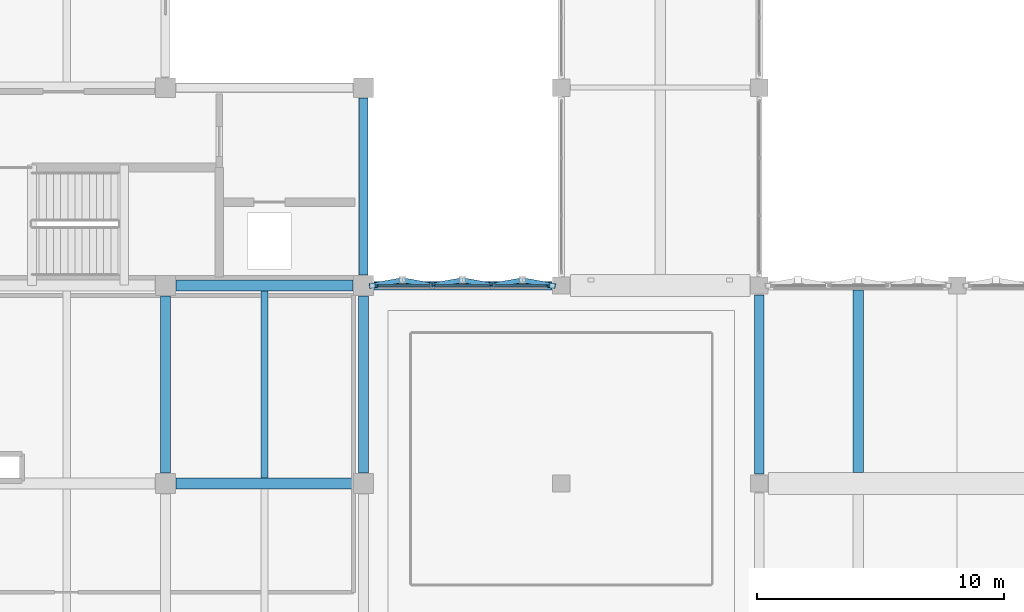
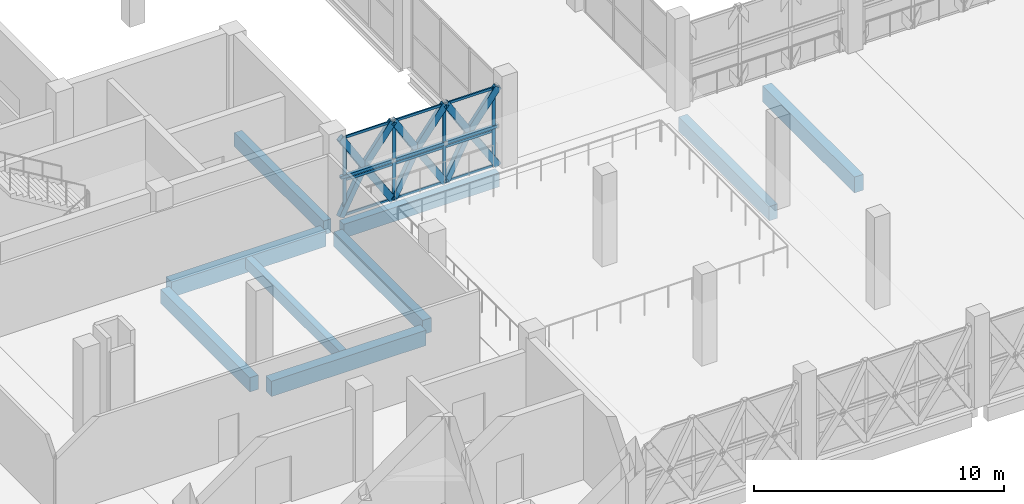
# One storey, part 7 of 45: 28 members, 9 beams, 1 element without a shape of its own.
"""IFC4 building model written with IfcOpenShell, lengths in metres."""

from ifc_helpers import new_model, si_unit, direction, frame, origin, origin_2d, place, context, subcontext, project, spatial, rectangle, hollow_rectangle, extrude, material, layer, layer_set, material_profile, profile_set, type_object, element, aggregate, save


model = new_model("IFC4")

# Units and contexts
model_context = context("Model", 3, precision=1e-05, world=origin(), true_north=direction((0.0, 1.0)))
body_context = subcontext(model_context, "Body", "Model", "MODEL_VIEW")
ifc_project = project(units=[si_unit("LENGTHUNIT", "METRE"), si_unit("AREAUNIT", "SQUARE_METRE"), si_unit("VOLUMEUNIT", "CUBIC_METRE"), si_unit("PLANEANGLEUNIT", "RADIAN"), si_unit("MASSUNIT", "GRAM", prefix="KILO")], contexts=[model_context])

# Site, building, storey
site_placement = place(None, origin())
site = spatial("IfcSite", under=ifc_project, at=site_placement, CompositionType="ELEMENT")
building_placement = place(site_placement, origin())
building = spatial("IfcBuilding", under=site, at=building_placement, Name="Qorikala Patio Media Centre", CompositionType="ELEMENT")
storey_placement = place(building_placement, frame((0.0, 0.0, 9.89990234375)))
storey = spatial("IfcBuildingStorey", under=building, at=storey_placement, Name="L02", CompositionType="ELEMENT", Elevation=9.89990234375)

# Beams
ifc_material_1 = material(Name="Concrete C35/45", Category="concrete")
ifc_material_profile_1 = material_profile(ifc_material_1, rectangle(XDim=0.39990234375, YDim=0.699951171875, at=origin_2d()), Name="RC 400x700")
ifc_profile_set_1 = profile_set([ifc_material_profile_1], Name="Concrete C35/45")
beam_type_1 = type_object("IfcBeamType", Name="BM-G400X700", PredefinedType="BEAM", material=ifc_profile_set_1)
for number, where, z_axis, x_axis, name in (
    (1, (35.0, 19.425048828125, -0.64990234375), (0.0, 1.0, 0.0), (-1.0, 0.0, 0.0), "L02 Grid X=35 Beam 0936"),
    (2, (43.0, 19.425048828125, -0.64990234375), (0.0, 1.0, 0.0), (-1.0, 0.0, 0.0), "L02 Grid X=43 Beam 0944"),
):
    element("IfcBeam", number, at=place(storey_placement, frame(where, z_axis=z_axis, x_axis=x_axis)), inside=storey, type_object=beam_type_1, Name=name, PredefinedType="BEAM", context=body_context, shape_type="SweptSolid", body=[
        extrude(rectangle(XDim=0.39990234375, YDim=0.699951171875, at=origin_2d()), origin(), (0.0, 0.0, 1.0), 7.14990234375),
    ])
beam_1_placement = place(storey_placement, frame((59.0, 19.375, -0.64990234375), z_axis=(0.0, 1.0, 0.0), x_axis=(-1.0, 0.0, 0.0)))
element("IfcBeam", 3, at=beam_1_placement, inside=storey, type_object=beam_type_1, Name="L02 Grid X=59 Beam 0958", PredefinedType="BEAM", context=body_context, shape_type="SweptSolid", body=[
    extrude(rectangle(XDim=0.39990234375, YDim=0.699951171875, at=origin_2d()), origin(), (0.0, 0.0, 1.0), 7.25),
])
ifc_material_profile_2 = material_profile(ifc_material_1, rectangle(XDim=0.449951171875, YDim=0.75, at=origin_2d()), Name="RC 450x750")
ifc_profile_set_2 = profile_set([ifc_material_profile_2], Name="Concrete C35/45")
beam_type_2 = type_object("IfcBeamType", Name="BM-G450X750", PredefinedType="BEAM", material=ifc_profile_set_2)
for number, where, z_axis, x_axis, name in (
    (4, (35.425048828125, 19.0, -0.6748046875), (1.0, 0.0, 0.0), (0.0, 1.0, 0.0), "L02 Grid 19 Beam 0799"),
    (5, (35.425048828125, 27.0, -0.6748046875), (1.0, 0.0, 0.0), (0.0, 1.0, 0.0), "L02 Grid 27 Beam 0817"),
):
    element("IfcBeam", number, at=place(storey_placement, frame(where, z_axis=z_axis, x_axis=x_axis)), inside=storey, type_object=beam_type_2, Name=name, PredefinedType="BEAM", context=body_context, shape_type="SweptSolid", body=[
        extrude(rectangle(XDim=0.449951171875, YDim=0.75, at=origin_2d()), origin(), (0.0, 0.0, 1.0), 7.14990234375),
    ])

# Members
ifc_material_2 = material(Name="Golden Bronze Coated Steel S355", Category="steel")
ifc_material_profile_3 = material_profile(ifc_material_2, hollow_rectangle(XDim=0.139892578125, YDim=0.139892578125, WallThickness=0.006103515625, at=origin_2d()), Name="HSS140X140X6")
ifc_profile_set_3 = profile_set([ifc_material_profile_3], Name="Golden Bronze Coated Steel S355")
member_type_1 = type_object("IfcMemberType", Name="BRACE-DIA140", PredefinedType="BRACE", material=ifc_profile_set_3)
member_1_placement = place(storey_placement, frame((43.360107421875, 27.0, 1.925048828125), z_axis=(1.0, 0.0, 0.0), x_axis=(0.0, 1.0, 0.0)))
element("IfcMember", 6, at=member_1_placement, inside=storey, type_object=member_type_1, Name="L02 Diamond Fold Tie 049", PredefinedType="BRACE", context=body_context, shape_type="SweptSolid", body=[
    extrude(hollow_rectangle(XDim=0.139892578125, YDim=0.139892578125, WallThickness=0.006103515625, at=origin_2d()), origin(), (0.0, 0.0, 1.0), 2.426513671875),
])
member_2_placement = place(storey_placement, frame((45.78662109375, 27.0, 1.925048828125), z_axis=(1.0, 0.0, 0.0), x_axis=(0.0, 1.0, 0.0)))
element("IfcMember", 7, at=member_2_placement, inside=storey, type_object=member_type_1, Name="L02 Diamond Fold Tie 050", PredefinedType="BRACE", context=body_context, shape_type="SweptSolid", body=[
    extrude(hollow_rectangle(XDim=0.139892578125, YDim=0.139892578125, WallThickness=0.006103515625, at=origin_2d()), origin(), (0.0, 0.0, 1.0), 2.4267578125),
])
member_3_placement = place(storey_placement, frame((48.21337890625, 27.0, 1.925048828125), z_axis=(1.0, 0.0, 0.0), x_axis=(0.0, 1.0, 0.0)))
element("IfcMember", 8, at=member_3_placement, inside=storey, type_object=member_type_1, Name="L02 Diamond Fold Tie 051", PredefinedType="BRACE", context=body_context, shape_type="SweptSolid", body=[
    extrude(hollow_rectangle(XDim=0.139892578125, YDim=0.139892578125, WallThickness=0.006103515625, at=origin_2d()), origin(), (0.0, 0.0, 1.0), 2.426513671875),
])

# Curtain wall, members
ifc_material_3 = material(Name="Golden Bronze Anodised Aluminium and Low-E Glass", Category="aluminium")
ifc_layer = layer(ifc_material_3, 0.159912109375)
ifc_layer_set = layer_set([ifc_layer], Name="Golden Bronze Anodised Aluminium and Low-E Glass")
curtain_wall_type = type_object("IfcCurtainWallType", Name="CW-DIA-696X385", PredefinedType="USERDEFINED", material=ifc_layer_set)
curtain_wall_placement = place(storey_placement, origin())
curtain_wall = element("IfcCurtainWall", 9, at=curtain_wall_placement, inside=storey, type_object=curtain_wall_type, Name="L02 Courtyard Curtain Wall 045", ObjectType="COURTYARD CURTAIN WALL", PredefinedType="USERDEFINED")
ifc_material_4 = material(Name="Golden Bronze Anodised Aluminium", Category="aluminium")
ifc_material_profile_4 = material_profile(ifc_material_4, rectangle(XDim=0.06494140625, YDim=0.14990234375, at=origin_2d()), Name="ALU MULLION 65x150")
ifc_profile_set_4 = profile_set([ifc_material_profile_4], Name="Golden Bronze Anodised Aluminium")
member_type_2 = type_object("IfcMemberType", Name="CWM-65X150", PredefinedType="MULLION", material=ifc_profile_set_4)
member_4_placement = place(storey_placement, frame((43.552490234375, 27.0, 0.0), z_axis=(0.0, 0.0, 1.0), x_axis=(0.0, 1.0, 0.0)))
member_4 = element("IfcMember", 10, at=member_4_placement, type_object=member_type_2, Name="CWD696385 mullion 1", PredefinedType="MULLION", context=body_context, shape_type="SweptSolid", body=[
    extrude(rectangle(XDim=0.06494140625, YDim=0.14990234375, at=origin_2d()), origin(), (0.0, 0.0, 1.0), 3.85009765625),
])
member_5_placement = place(storey_placement, frame((45.840087890625, 27.0, 0.0), z_axis=(0.0, 0.0, 1.0), x_axis=(0.0, 1.0, 0.0)))
member_5 = element("IfcMember", 11, at=member_5_placement, type_object=member_type_2, Name="CWD696385 mullion 2", PredefinedType="MULLION", context=body_context, shape_type="SweptSolid", body=[
    extrude(rectangle(XDim=0.06494140625, YDim=0.14990234375, at=origin_2d()), origin(), (0.0, 0.0, 1.0), 3.85009765625),
])
member_6_placement = place(storey_placement, frame((48.159912109375, 27.0, 0.0), z_axis=(0.0, 0.0, 1.0), x_axis=(0.0, 1.0, 0.0)))
member_6 = element("IfcMember", 12, at=member_6_placement, type_object=member_type_2, Name="CWD696385 mullion 3", PredefinedType="MULLION", context=body_context, shape_type="SweptSolid", body=[
    extrude(rectangle(XDim=0.06494140625, YDim=0.14990234375, at=origin_2d()), origin(), (0.0, 0.0, 1.0), 3.85009765625),
])
member_7_placement = place(storey_placement, frame((50.447509765625, 27.0, 0.0), z_axis=(0.0, 0.0, 1.0), x_axis=(0.0, 1.0, 0.0)))
member_7 = element("IfcMember", 13, at=member_7_placement, type_object=member_type_2, Name="CWD696385 mullion 4", PredefinedType="MULLION", context=body_context, shape_type="SweptSolid", body=[
    extrude(rectangle(XDim=0.06494140625, YDim=0.14990234375, at=origin_2d()), origin(), (0.0, 0.0, 1.0), 3.85009765625),
])
ifc_material_profile_5 = material_profile(ifc_material_4, rectangle(XDim=0.06494140625, YDim=0.1201171875, at=origin_2d()), Name="ALU TRANSOM 65x120")
ifc_profile_set_5 = profile_set([ifc_material_profile_5], Name="Golden Bronze Anodised Aluminium")
member_type_3 = type_object("IfcMemberType", Name="CWT-65X120", PredefinedType="USERDEFINED", material=ifc_profile_set_5)
member_8_placement = place(storey_placement, frame((43.5849609375, 27.0, 0.03271484375), z_axis=(1.0, 0.0, 0.0), x_axis=(0.0, 1.0, 0.0)))
member_8 = element("IfcMember", 14, at=member_8_placement, type_object=member_type_3, Name="CWD696385 transom 1.1", ObjectType="TRANSOM", PredefinedType="USERDEFINED", context=body_context, shape_type="SweptSolid", body=[
    extrude(rectangle(XDim=0.06494140625, YDim=0.1201171875, at=origin_2d()), origin(), (0.0, 0.0, 1.0), 2.22265625),
])
member_9_placement = place(storey_placement, frame((43.5849609375, 27.0, 1.732666015625), z_axis=(1.0, 0.0, 0.0), x_axis=(0.0, 1.0, 0.0)))
member_9 = element("IfcMember", 15, at=member_9_placement, type_object=member_type_3, Name="CWD696385 transom 1.2", ObjectType="TRANSOM", PredefinedType="USERDEFINED", context=body_context, shape_type="SweptSolid", body=[
    extrude(rectangle(XDim=0.06494140625, YDim=0.1201171875, at=origin_2d()), origin(), (0.0, 0.0, 1.0), 2.22265625),
])
member_10_placement = place(storey_placement, frame((43.5849609375, 27.0, 3.817626953125), z_axis=(1.0, 0.0, 0.0), x_axis=(0.0, 1.0, 0.0)))
member_10 = element("IfcMember", 16, at=member_10_placement, type_object=member_type_3, Name="CWD696385 transom 1.3", ObjectType="TRANSOM", PredefinedType="USERDEFINED", context=body_context, shape_type="SweptSolid", body=[
    extrude(rectangle(XDim=0.06494140625, YDim=0.1201171875, at=origin_2d()), origin(), (0.0, 0.0, 1.0), 2.22265625),
])
member_11_placement = place(storey_placement, frame((45.87255859375, 27.0, 0.03271484375), z_axis=(1.0, 0.0, 0.0), x_axis=(0.0, 1.0, 0.0)))
member_11 = element("IfcMember", 17, at=member_11_placement, type_object=member_type_3, Name="CWD696385 transom 2.1", ObjectType="TRANSOM", PredefinedType="USERDEFINED", context=body_context, shape_type="SweptSolid", body=[
    extrude(rectangle(XDim=0.06494140625, YDim=0.1201171875, at=origin_2d()), origin(), (0.0, 0.0, 1.0), 2.2548828125),
])
member_12_placement = place(storey_placement, frame((45.87255859375, 27.0, 1.732666015625), z_axis=(1.0, 0.0, 0.0), x_axis=(0.0, 1.0, 0.0)))
member_12 = element("IfcMember", 18, at=member_12_placement, type_object=member_type_3, Name="CWD696385 transom 2.2", ObjectType="TRANSOM", PredefinedType="USERDEFINED", context=body_context, shape_type="SweptSolid", body=[
    extrude(rectangle(XDim=0.06494140625, YDim=0.1201171875, at=origin_2d()), origin(), (0.0, 0.0, 1.0), 2.2548828125),
])
member_13_placement = place(storey_placement, frame((45.87255859375, 27.0, 3.817626953125), z_axis=(1.0, 0.0, 0.0), x_axis=(0.0, 1.0, 0.0)))
member_13 = element("IfcMember", 19, at=member_13_placement, type_object=member_type_3, Name="CWD696385 transom 2.3", ObjectType="TRANSOM", PredefinedType="USERDEFINED", context=body_context, shape_type="SweptSolid", body=[
    extrude(rectangle(XDim=0.06494140625, YDim=0.1201171875, at=origin_2d()), origin(), (0.0, 0.0, 1.0), 2.2548828125),
])
member_14_placement = place(storey_placement, frame((48.1923828125, 27.0, 0.03271484375), z_axis=(1.0, 0.0, 0.0), x_axis=(0.0, 1.0, 0.0)))
member_14 = element("IfcMember", 20, at=member_14_placement, type_object=member_type_3, Name="CWD696385 transom 3.1", ObjectType="TRANSOM", PredefinedType="USERDEFINED", context=body_context, shape_type="SweptSolid", body=[
    extrude(rectangle(XDim=0.06494140625, YDim=0.1201171875, at=origin_2d()), origin(), (0.0, 0.0, 1.0), 2.22265625),
])
member_15_placement = place(storey_placement, frame((48.1923828125, 27.0, 1.732666015625), z_axis=(1.0, 0.0, 0.0), x_axis=(0.0, 1.0, 0.0)))
member_15 = element("IfcMember", 21, at=member_15_placement, type_object=member_type_3, Name="CWD696385 transom 3.2", ObjectType="TRANSOM", PredefinedType="USERDEFINED", context=body_context, shape_type="SweptSolid", body=[
    extrude(rectangle(XDim=0.06494140625, YDim=0.1201171875, at=origin_2d()), origin(), (0.0, 0.0, 1.0), 2.22265625),
])
member_16_placement = place(storey_placement, frame((48.1923828125, 27.0, 3.817626953125), z_axis=(1.0, 0.0, 0.0), x_axis=(0.0, 1.0, 0.0)))
member_16 = element("IfcMember", 22, at=member_16_placement, type_object=member_type_3, Name="CWD696385 transom 3.3", ObjectType="TRANSOM", PredefinedType="USERDEFINED", context=body_context, shape_type="SweptSolid", body=[
    extrude(rectangle(XDim=0.06494140625, YDim=0.1201171875, at=origin_2d()), origin(), (0.0, 0.0, 1.0), 2.22265625),
])
aggregate(curtain_wall, [member_4, member_5, member_6, member_7, member_8, member_9, member_10, member_11, member_12, member_13, member_14, member_15, member_16])

# Beams
ifc_material_profile_6 = material_profile(ifc_material_1, rectangle(XDim=0.300048828125, YDim=0.550048828125, at=origin_2d()), Name="RC 300x550")
ifc_profile_set_6 = profile_set([ifc_material_profile_6], Name="Concrete C35/45")
beam_type_3 = type_object("IfcBeamType", Name="JS-300X550", PredefinedType="JOIST", material=ifc_profile_set_6)
beam_2_placement = place(storey_placement, frame((39.0, 19.22509765625, -0.574951171875), z_axis=(0.0, 1.0, 0.0), x_axis=(-1.0, 0.0, 0.0)))
element("IfcBeam", 23, at=beam_2_placement, inside=storey, type_object=beam_type_3, Name="L02 Secondary Joist 1051", PredefinedType="JOIST", context=body_context, shape_type="SweptSolid", body=[
    extrude(rectangle(XDim=0.300048828125, YDim=0.550048828125, at=origin_2d()), origin(), (0.0, 0.0, 1.0), 7.5498046875),
])
ifc_material_profile_7 = material_profile(ifc_material_1, rectangle(XDim=0.35009765625, YDim=0.679931640625, at=origin_2d()), Name="RC 350x680")
ifc_profile_set_7 = profile_set([ifc_material_profile_7], Name="Concrete C35/45")
beam_type_4 = type_object("IfcBeamType", Name="SP-350X680", PredefinedType="SPANDREL", material=ifc_profile_set_7)
beam_3_placement = place(storey_placement, frame((43.425048828125, 27.0, -0.639892578125), z_axis=(1.0, 0.0, 0.0), x_axis=(0.0, 1.0, 0.0)))
element("IfcBeam", 24, at=beam_3_placement, inside=storey, type_object=beam_type_4, Name="L02 Grid 27 Beam 0818", PredefinedType="SPANDREL", context=body_context, shape_type="SweptSolid", body=[
    extrude(rectangle(XDim=0.35009765625, YDim=0.679931640625, at=origin_2d()), origin(), (0.0, 0.0, 1.0), 7.199951171875),
])
beam_4_placement = place(storey_placement, frame((43.0, 27.425048828125, -0.639892578125), z_axis=(0.0, 1.0, 0.0), x_axis=(-1.0, 0.0, 0.0)))
element("IfcBeam", 25, at=beam_4_placement, inside=storey, type_object=beam_type_4, Name="L02 Grid X=43 Beam 0945", PredefinedType="SPANDREL", context=body_context, shape_type="SweptSolid", body=[
    extrude(rectangle(XDim=0.35009765625, YDim=0.679931640625, at=origin_2d()), origin(), (0.0, 0.0, 1.0), 7.14990234375),
])

# Members
ifc_material_profile_8 = material_profile(ifc_material_2, hollow_rectangle(XDim=0.199951171875, YDim=0.300048828125, WallThickness=0.011962890625, at=origin_2d()), Name="HSS300X200X12")
ifc_profile_set_8 = profile_set([ifc_material_profile_8], Name="Golden Bronze Coated Steel S355")
member_type_4 = type_object("IfcMemberType", Name="STRUT-DIA300", PredefinedType="STRUT", material=ifc_profile_set_8)
member_17_placement = place(storey_placement, frame((43.360107421875, 27.0, 0.0), z_axis=(0.530691378365, 0.095906793675, 0.842121456713), x_axis=(-0.17783968734, 0.984059472596, 0.0)))
element("IfcMember", 26, at=member_17_placement, inside=storey, type_object=member_type_4, Name="L02 Diamond Foyer Fold Strut 049-DL1", PredefinedType="STRUT", context=body_context, shape_type="SweptSolid", body=[
    extrude(hollow_rectangle(XDim=0.199951171875, YDim=0.300048828125, WallThickness=0.011962890625, at=origin_2d()), origin(), (0.0, 0.0, 1.0), 2.285888671875),
])
member_18_placement = place(storey_placement, frame((45.78662109375, 27.0, 0.0), z_axis=(-0.530768093717, 0.095901357778, 0.842073726148), x_axis=(-0.177805036072, -0.98406573416, 0.0)))
element("IfcMember", 27, at=member_18_placement, inside=storey, type_object=member_type_4, Name="L02 Diamond Foyer Fold Strut 049-DL2", PredefinedType="STRUT", context=body_context, shape_type="SweptSolid", body=[
    extrude(hollow_rectangle(XDim=0.199951171875, YDim=0.300048828125, WallThickness=0.011962890625, at=origin_2d()), origin(), (0.0, 0.0, 1.0), 2.2861328125),
])
member_19_placement = place(storey_placement, frame((44.5732421875, 27.21923828125, 1.925048828125), z_axis=(-0.530691378365, -0.095906793675, 0.842121456713), x_axis=(0.17783968734, -0.984059472596, 0.0)))
element("IfcMember", 28, at=member_19_placement, inside=storey, type_object=member_type_4, Name="L02 Diamond Foyer Fold Strut 049-DU1", PredefinedType="STRUT", context=body_context, shape_type="SweptSolid", body=[
    extrude(hollow_rectangle(XDim=0.199951171875, YDim=0.300048828125, WallThickness=0.011962890625, at=origin_2d()), origin(), (0.0, 0.0, 1.0), 2.285888671875),
])
for number, where, z_axis, x_axis, name in (
    (29, (44.5732421875, 27.21923828125, 1.925048828125), (0.530768093717, -0.095901357778, 0.842073726148), (0.177805036072, 0.98406573416, 0.0), "L02 Diamond Foyer Fold Strut 049-DU2"),
    (30, (45.78662109375, 27.0, 0.0), (0.530768093717, 0.095901357778, 0.842073726148), (-0.177805036072, 0.98406573416, 0.0), "L02 Diamond Foyer Fold Strut 050-DL1"),
    (31, (48.21337890625, 27.0, 0.0), (-0.530768093717, 0.095901357778, 0.842073726148), (-0.177805036072, -0.98406573416, 0.0), "L02 Diamond Foyer Fold Strut 050-DL2"),
    (32, (47.0, 27.21923828125, 1.925048828125), (-0.530768093717, -0.095901357778, 0.842073726148), (0.177805036072, -0.98406573416, 0.0), "L02 Diamond Foyer Fold Strut 050-DU1"),
    (33, (47.0, 27.21923828125, 1.925048828125), (0.530768093717, -0.095901357778, 0.842073726148), (0.177805036072, 0.98406573416, 0.0), "L02 Diamond Foyer Fold Strut 050-DU2"),
    (34, (48.21337890625, 27.0, 0.0), (0.530768093717, 0.095901357778, 0.842073726148), (-0.177805036072, 0.98406573416, 0.0), "L02 Diamond Foyer Fold Strut 051-DL1"),
):
    element("IfcMember", number, at=place(storey_placement, frame(where, z_axis=z_axis, x_axis=x_axis)), inside=storey, type_object=member_type_4, Name=name, PredefinedType="STRUT", context=body_context, shape_type="SweptSolid", body=[
        extrude(hollow_rectangle(XDim=0.199951171875, YDim=0.300048828125, WallThickness=0.011962890625, at=origin_2d()), origin(), (0.0, 0.0, 1.0), 2.2861328125),
    ])
member_20_placement = place(storey_placement, frame((50.639892578125, 27.0, 0.0), z_axis=(-0.530691378365, 0.095906793675, 0.842121456713), x_axis=(-0.17783968734, -0.984059472596, 0.0)))
element("IfcMember", 35, at=member_20_placement, inside=storey, type_object=member_type_4, Name="L02 Diamond Foyer Fold Strut 051-DL2", PredefinedType="STRUT", context=body_context, shape_type="SweptSolid", body=[
    extrude(hollow_rectangle(XDim=0.199951171875, YDim=0.300048828125, WallThickness=0.011962890625, at=origin_2d()), origin(), (0.0, 0.0, 1.0), 2.285888671875),
])
member_21_placement = place(storey_placement, frame((49.4267578125, 27.21923828125, 1.925048828125), z_axis=(-0.530768093717, -0.095901357778, 0.842073726148), x_axis=(0.177805036072, -0.98406573416, 0.0)))
element("IfcMember", 36, at=member_21_placement, inside=storey, type_object=member_type_4, Name="L02 Diamond Foyer Fold Strut 051-DU1", PredefinedType="STRUT", context=body_context, shape_type="SweptSolid", body=[
    extrude(hollow_rectangle(XDim=0.199951171875, YDim=0.300048828125, WallThickness=0.011962890625, at=origin_2d()), origin(), (0.0, 0.0, 1.0), 2.2861328125),
])
member_22_placement = place(storey_placement, frame((49.4267578125, 27.21923828125, 1.925048828125), z_axis=(0.530691378365, -0.095906793675, 0.842121456713), x_axis=(0.17783968734, 0.984059472596, 0.0)))
element("IfcMember", 37, at=member_22_placement, inside=storey, type_object=member_type_4, Name="L02 Diamond Foyer Fold Strut 051-DU2", PredefinedType="STRUT", context=body_context, shape_type="SweptSolid", body=[
    extrude(hollow_rectangle(XDim=0.199951171875, YDim=0.300048828125, WallThickness=0.011962890625, at=origin_2d()), origin(), (0.0, 0.0, 1.0), 2.285888671875),
])

# Beam
ifc_material_profile_9 = material_profile(ifc_material_1, rectangle(XDim=0.419921875, YDim=0.780029296875, at=origin_2d()), Name="RC 420x780")
ifc_profile_set_9 = profile_set([ifc_material_profile_9], Name="Concrete C35/45")
beam_type_5 = type_object("IfcBeamType", Name="TB-420X780", PredefinedType="T_BEAM", material=ifc_profile_set_9)
beam_5_placement = place(storey_placement, frame((63.0, 19.449951171875, -0.68994140625), z_axis=(0.0, 1.0, 0.0), x_axis=(-1.0, 0.0, 0.0)))
element("IfcBeam", 38, at=beam_5_placement, inside=storey, type_object=beam_type_5, Name="L02 Secondary Joist 1063", PredefinedType="T_BEAM", context=body_context, shape_type="SweptSolid", body=[
    extrude(rectangle(XDim=0.419921875, YDim=0.780029296875, at=origin_2d()), origin(), (0.0, 0.0, 1.0), 7.375),
])

save(model, "model.ifc")
